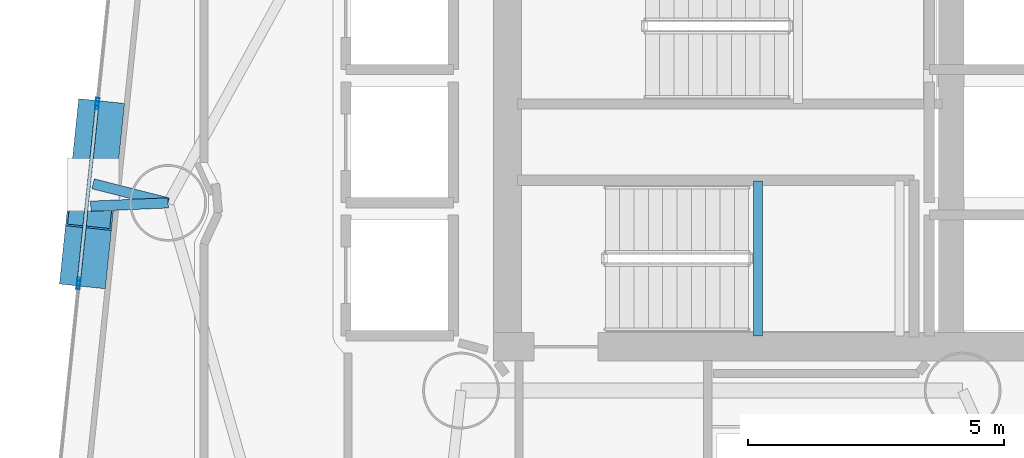
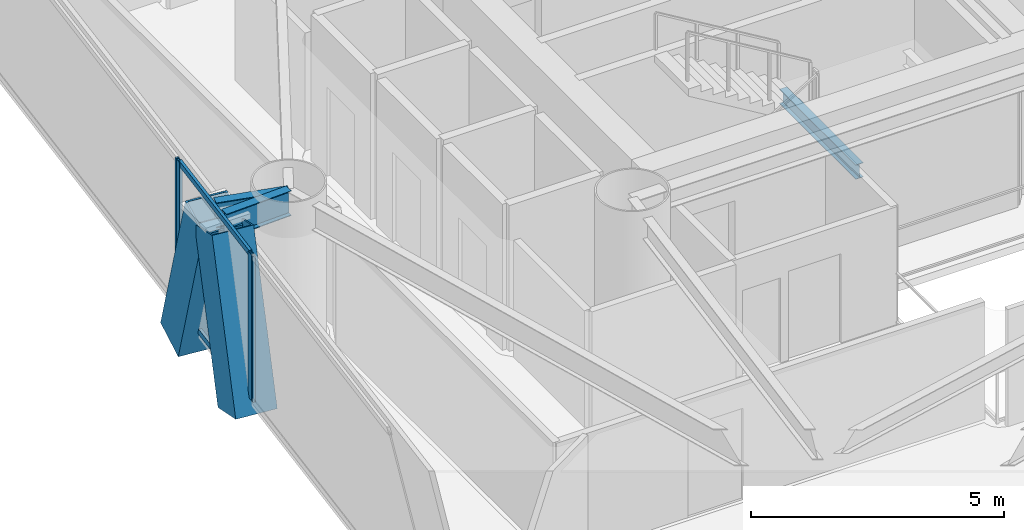
# One storey, part 6 of 19: 8 members, 3 beams, 3 elements without a shape of their own.
"""IFC4 building model written with IfcOpenShell, lengths in metres."""

from ifc_helpers import new_model, si_unit, direction, frame, origin, origin_2d, place, context, subcontext, project, spatial, hollow_rectangle, i_section, extrude, material, layer, layer_set, material_profile, profile_set, type_object, element, aggregate, save


model = new_model("IFC4")

# Units and contexts
model_context = context("Model", 3, precision=1e-05, world=origin(), true_north=direction((0.0, 1.0)))
body_context = subcontext(model_context, "Body", "Model", "MODEL_VIEW")
ifc_project = project(units=[si_unit("LENGTHUNIT", "METRE"), si_unit("AREAUNIT", "SQUARE_METRE"), si_unit("VOLUMEUNIT", "CUBIC_METRE"), si_unit("PLANEANGLEUNIT", "RADIAN"), si_unit("MASSUNIT", "GRAM", prefix="KILO")], contexts=[model_context])

# Site, building, storey
site_placement = place(None, origin())
site = spatial("IfcSite", under=ifc_project, at=site_placement, CompositionType="ELEMENT")
building_placement = place(site_placement, origin())
building = spatial("IfcBuilding", under=site, at=building_placement, Name="Qianvela Tower", CompositionType="ELEMENT")
storey_placement = place(building_placement, frame((0.0, 0.0, 120.0)))
storey = spatial("IfcBuildingStorey", under=building, at=storey_placement, Name="L30", CompositionType="ELEMENT", Elevation=120.0)

# Beams
ifc_material_1 = material(Name="Steel Q355B", Category="steel")
ifc_material_profile_1 = material_profile(ifc_material_1, i_section(OverallWidth=0.175048828125, OverallDepth=0.35009765625, WebThickness=0.007080078125, FlangeThickness=0.010986328125, at=origin_2d()), Name="HN350x175x7x11")
ifc_profile_set_1 = profile_set([ifc_material_profile_1], Name="Steel Q355B")
beam_type_1 = type_object("IfcBeamType", Name="BM-HN350-JOIST", PredefinedType="JOIST", material=ifc_profile_set_1)
beam_1_placement = place(storey_placement, frame((34.39990234375, 24.919921875, 1.47509765625), z_axis=(0.0, 1.0, 0.0), x_axis=(-1.0, 0.0, 0.0)))
element("IfcBeam", 1, at=beam_1_placement, inside=storey, type_object=beam_type_1, Name="L30 Stair ST-2 Landing Support Beam 1.1", PredefinedType="JOIST", context=body_context, shape_type="SweptSolid", body=[
    extrude(i_section(OverallWidth=0.175048828125, OverallDepth=0.35009765625, WebThickness=0.007080078125, FlangeThickness=0.010986328125, at=origin_2d()), origin(), (0.0, 0.0, 1.0), 3.02001953125),
])
ifc_material_2 = material(Name="Steel Q355B", Category="steel")
ifc_material_profile_2 = material_profile(ifc_material_2, i_section(OverallWidth=0.199951171875, OverallDepth=0.60009765625, WebThickness=0.010986328125, FlangeThickness=0.01708984375, at=origin_2d()), Name="HN600x200x11x17")
ifc_profile_set_2 = profile_set([ifc_material_profile_2], Name="Steel Q355B")
beam_type_2 = type_object("IfcBeamType", Name="BM-HN600-GIRD", PredefinedType="BEAM", material=ifc_profile_set_2)
beam_2_placement = place(storey_placement, frame((22.8779296875, 27.51611328125, 3.218017578125), z_axis=(-0.96911890087, 0.246593909041, 0.0), x_axis=(-0.246593909041, -0.96911890087, 0.0)))
element("IfcBeam", 2, at=beam_2_placement, inside=storey, type_object=beam_type_2, Name="L30 Mega-Brace Column Tie Bracket F2-1", PredefinedType="BEAM", context=body_context, shape_type="SweptSolid", body=[
    extrude(i_section(OverallWidth=0.199951171875, OverallDepth=0.60009765625, WebThickness=0.010986328125, FlangeThickness=0.01708984375, at=origin_2d()), origin(), (0.0, 0.0, 1.0), 1.513671875),
])
beam_3_placement = place(storey_placement, frame((22.8779296875, 27.51611328125, 3.218017578125), z_axis=(-0.999093215252, -0.042576369464, 0.0), x_axis=(0.042576369464, -0.999093215252, 0.0)))
element("IfcBeam", 3, at=beam_3_placement, inside=storey, type_object=beam_type_2, Name="L30 Mega-Brace Column Tie Bracket F2-2", PredefinedType="BEAM", context=body_context, shape_type="SweptSolid", body=[
    extrude(i_section(OverallWidth=0.199951171875, OverallDepth=0.60009765625, WebThickness=0.010986328125, FlangeThickness=0.01708984375, at=origin_2d()), origin(), (0.0, 0.0, 1.0), 1.513916015625),
])

# Curtain wall, members
ifc_material_3 = material(Name="Anodised Architectural Aluminium and Insulated Spandrel Panel", Category="aluminium")
ifc_layer_1 = layer(ifc_material_3, 0.179931640625)
ifc_layer_set_1 = layer_set([ifc_layer_1], Name="Anodised Architectural Aluminium and Insulated Spandrel Panel")
curtain_wall_type_1 = type_object("IfcCurtainWallType", Name="CW-BRACEBAY", PredefinedType="USERDEFINED", material=ifc_layer_set_1)
curtain_wall_1_placement = place(storey_placement, origin())
curtain_wall_1 = element("IfcCurtainWall", 4, at=curtain_wall_1_placement, inside=storey, type_object=curtain_wall_type_1, Name="L30 CW-BRACEBAY Curtain Wall 04B", ObjectType="CURTAIN_WALL_SYSTEM", PredefinedType="USERDEFINED")
ifc_material_4 = material(Name="Anodised Architectural Aluminium 6063-T6", Category="aluminium")
ifc_material_profile_3 = material_profile(ifc_material_4, hollow_rectangle(XDim=0.06494140625, YDim=0.159912109375, WallThickness=0.0048828125, at=origin_2d()), Name="ALU-MULL-65x160")
ifc_profile_set_3 = profile_set([ifc_material_profile_3], Name="Anodised Architectural Aluminium 6063-T6")
member_type_1 = type_object("IfcMemberType", Name="CW-BRACEBAY-MULL", PredefinedType="MULLION", material=ifc_profile_set_3)
member_1_placement = place(storey_placement, frame((21.4892578125, 29.421630859375, 0.0), z_axis=(0.0, 0.0, 1.0), x_axis=(0.994666468185, -0.103143671977, 0.0)))
member_1 = element("IfcMember", 5, at=member_1_placement, type_object=member_type_1, Name="CW-9 mullion 1", PredefinedType="MULLION", context=body_context, shape_type="SweptSolid", body=[
    extrude(hollow_rectangle(XDim=0.06494140625, YDim=0.159912109375, WallThickness=0.0048828125, at=origin_2d()), origin(), (0.0, 0.0, 1.0), 3.52001953125),
])
member_2_placement = place(storey_placement, frame((21.1318359375, 25.97509765625, 0.0), z_axis=(0.0, 0.0, 1.0), x_axis=(0.994666468185, -0.103143671977, 0.0)))
member_2 = element("IfcMember", 6, at=member_2_placement, type_object=member_type_1, Name="CW-9 mullion 2", PredefinedType="MULLION", context=body_context, shape_type="SweptSolid", body=[
    extrude(hollow_rectangle(XDim=0.06494140625, YDim=0.159912109375, WallThickness=0.0048828125, at=origin_2d()), origin(), (0.0, 0.0, 1.0), 3.52001953125),
])
ifc_material_5 = material(Name="Anodised Architectural Aluminium 6063-T6", Category="aluminium")
ifc_material_profile_4 = material_profile(ifc_material_5, hollow_rectangle(XDim=0.06494140625, YDim=0.1298828125, WallThickness=0.00439453125, at=origin_2d()), Name="ALU-TRAN-65x130")
ifc_profile_set_4 = profile_set([ifc_material_profile_4], Name="Anodised Architectural Aluminium 6063-T6")
member_type_2 = type_object("IfcMemberType", Name="CW-BRACEBAY-TRAN", PredefinedType="USERDEFINED", material=ifc_profile_set_4)
member_3_placement = place(storey_placement, frame((21.486083984375, 29.389404296875, 0.032470703125), z_axis=(-0.103185781023, -0.994662100713, 0.0), x_axis=(0.994662100713, -0.103185781023, 0.0)))
member_3 = element("IfcMember", 7, at=member_3_placement, type_object=member_type_2, Name="CW-9 transom 1.1", ObjectType="TRANSOM", PredefinedType="USERDEFINED", context=body_context, shape_type="SweptSolid", body=[
    extrude(hollow_rectangle(XDim=0.06494140625, YDim=0.1298828125, WallThickness=0.00439453125, at=origin_2d()), origin(), (0.0, 0.0, 1.0), 3.39990234375),
])
member_4_placement = place(storey_placement, frame((21.486083984375, 29.389404296875, 3.487548828125), z_axis=(-0.103185781023, -0.994662100713, 0.0), x_axis=(0.994662100713, -0.103185781023, 0.0)))
member_4 = element("IfcMember", 8, at=member_4_placement, type_object=member_type_2, Name="CW-9 transom 1.2", ObjectType="TRANSOM", PredefinedType="USERDEFINED", context=body_context, shape_type="SweptSolid", body=[
    extrude(hollow_rectangle(XDim=0.06494140625, YDim=0.1298828125, WallThickness=0.00439453125, at=origin_2d()), origin(), (0.0, 0.0, 1.0), 3.39990234375),
])
aggregate(curtain_wall_1, [member_1, member_2, member_3, member_4])

# Curtain wall, member
ifc_material_6 = material(Name="Anodised Architectural Aluminium and Low-E Glass", Category="aluminium")
ifc_layer_2 = layer(ifc_material_6, 0.169921875)
ifc_layer_set_2 = layer_set([ifc_layer_2], Name="Anodised Architectural Aluminium and Low-E Glass")
curtain_wall_type_2 = type_object("IfcCurtainWallType", Name="CW-COLIV-Z34", PredefinedType="USERDEFINED", material=ifc_layer_set_2)
curtain_wall_2_placement = place(storey_placement, origin())
curtain_wall_2 = element("IfcCurtainWall", 9, at=curtain_wall_2_placement, inside=storey, type_object=curtain_wall_type_2, Name="L30 CW-COLIV-Z34 Curtain Wall 04A", ObjectType="CURTAIN_WALL_SYSTEM", PredefinedType="USERDEFINED")
ifc_material_7 = material(Name="Anodised Architectural Aluminium 6063-T6", Category="aluminium")
ifc_material_profile_5 = material_profile(ifc_material_7, hollow_rectangle(XDim=0.06494140625, YDim=0.159912109375, WallThickness=0.0048828125, at=origin_2d()), Name="ALU-MULL-65x160")
ifc_profile_set_5 = profile_set([ifc_material_profile_5], Name="Anodised Architectural Aluminium 6063-T6")
member_type_3 = type_object("IfcMemberType", Name="CW-COLIV-Z34-MULL", PredefinedType="MULLION", material=ifc_profile_set_5)
member_5_placement = place(storey_placement, frame((21.49609375, 29.486328125, 0.0), z_axis=(0.0, 0.0, 1.0), x_axis=(0.994667868218, -0.10313016986, 0.0)))
member_5 = element("IfcMember", 10, at=member_5_placement, type_object=member_type_3, Name="CW-4 mullion 2", PredefinedType="MULLION", context=body_context, shape_type="SweptSolid", body=[
    extrude(hollow_rectangle(XDim=0.06494140625, YDim=0.159912109375, WallThickness=0.0048828125, at=origin_2d()), origin(), (0.0, 0.0, 1.0), 3.52001953125),
])
aggregate(curtain_wall_2, [member_5])

curtain_wall_3_placement = place(storey_placement, origin())
curtain_wall_3 = element("IfcCurtainWall", 11, at=curtain_wall_3_placement, inside=storey, type_object=curtain_wall_type_2, Name="L30 CW-COLIV-Z34 Curtain Wall 04C", ObjectType="CURTAIN_WALL_SYSTEM", PredefinedType="USERDEFINED")
member_6_placement = place(storey_placement, frame((21.125244140625, 25.910400390625, 0.0), z_axis=(0.0, 0.0, 1.0), x_axis=(0.994667302995, -0.103135621161, 0.0)))
member_6 = element("IfcMember", 12, at=member_6_placement, type_object=member_type_3, Name="CW-4 mullion 1", PredefinedType="MULLION", context=body_context, shape_type="SweptSolid", body=[
    extrude(hollow_rectangle(XDim=0.06494140625, YDim=0.159912109375, WallThickness=0.0048828125, at=origin_2d()), origin(), (0.0, 0.0, 1.0), 3.52001953125),
])
aggregate(curtain_wall_3, [member_6])

# Members
ifc_material_8 = material(Name="Steel Q420GJC", Category="steel")
ifc_material_profile_6 = material_profile(ifc_material_8, hollow_rectangle(XDim=0.89990234375, YDim=0.89990234375, WallThickness=0.035888671875, at=origin_2d()), Name="MBOX-900x900x36")
ifc_profile_set_6 = profile_set([ifc_material_profile_6], Name="Steel Q420GJC")
member_type_4 = type_object("IfcMemberType", Name="MBR-MBRACE-900", PredefinedType="BRACE", material=ifc_profile_set_6)
member_7_placement = place(storey_placement, frame((21.5341796875, 29.07958984375, -0.48193359375), z_axis=(-0.031705580004, -0.306068717862, 0.95148131676), x_axis=(0.994677381515, -0.103038374906, 0.0)))
element("IfcMember", 13, at=member_7_placement, inside=storey, type_object=member_type_4, Name="L30 Tier 5 Exterior Mega-Brace F2A", PredefinedType="BRACE", context=body_context, shape_type="SweptSolid", body=[
    extrude(hollow_rectangle(XDim=0.89990234375, YDim=0.89990234375, WallThickness=0.035888671875, at=origin_2d()), origin(), (0.0, 0.0, 1.0), 3.888671875),
])
member_8_placement = place(storey_placement, frame((21.247314453125, 26.31298828125, -0.48193359375), z_axis=(0.030509651713, 0.294002098327, 0.955317710153), x_axis=(-0.994658623817, 0.103219291151, 0.0)))
element("IfcMember", 14, at=member_8_placement, inside=storey, type_object=member_type_4, Name="L30 Tier 5 Exterior Mega-Brace F2B", PredefinedType="BRACE", context=body_context, shape_type="SweptSolid", body=[
    extrude(hollow_rectangle(XDim=0.89990234375, YDim=0.89990234375, WallThickness=0.035888671875, at=origin_2d()), origin(), (0.0, 0.0, 1.0), 3.873046875),
])

save(model, "model.ifc")
